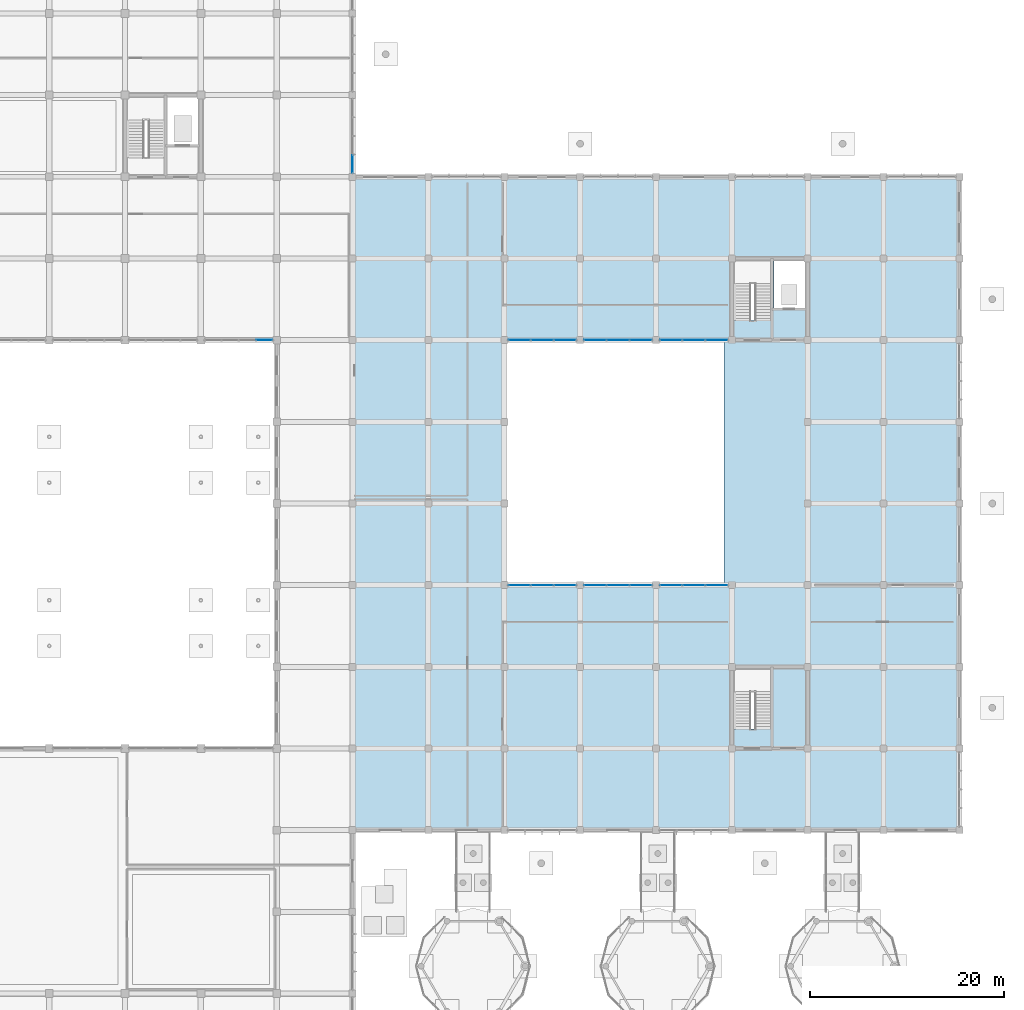
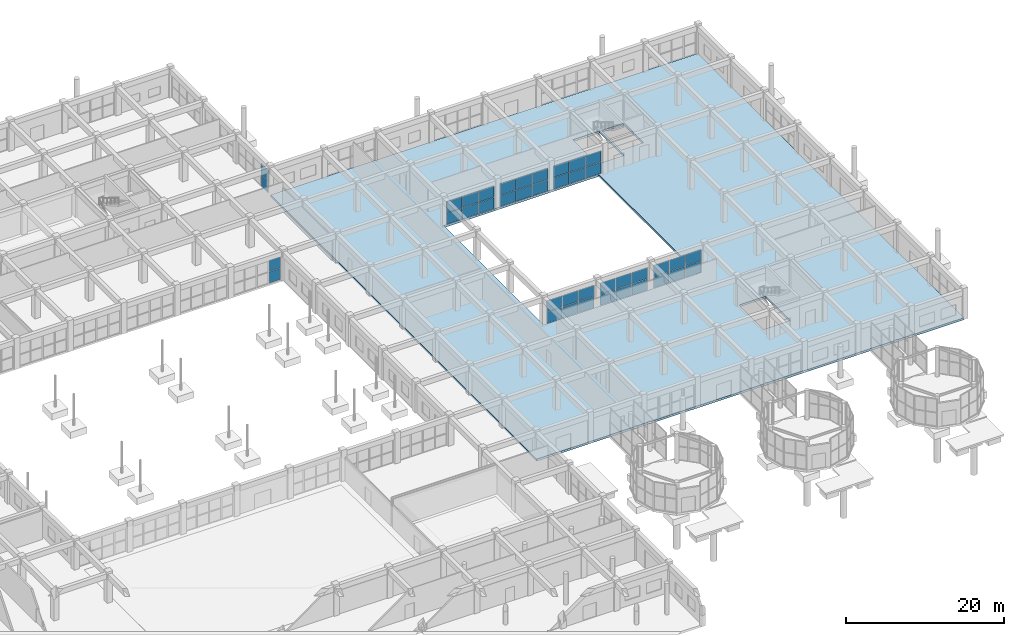
# One storey, part 115 of 139: 40 plates, 1 slab, 8 elements without a shape of their own.
"""IFC4 building model written with IfcOpenShell, lengths in metres."""

from ifc_helpers import new_model, si_unit, direction, frame, origin, origin_2d, place, context, subcontext, project, spatial, polyline, rectangle, outline, extrude, material, layer, layer_set, type_object, element, aggregate, save


model = new_model("IFC4")

# Units and contexts
model_context = context("Model", 3, precision=1e-05, world=origin(), true_north=direction((0.0, 1.0)))
body_context = subcontext(model_context, "Body", "Model", "MODEL_VIEW")
ifc_project = project(units=[si_unit("LENGTHUNIT", "METRE"), si_unit("AREAUNIT", "SQUARE_METRE"), si_unit("VOLUMEUNIT", "CUBIC_METRE"), si_unit("PLANEANGLEUNIT", "RADIAN"), si_unit("MASSUNIT", "GRAM", prefix="KILO")], contexts=[model_context])

# Site, building, storey
site_placement = place(None, origin())
site = spatial("IfcSite", under=ifc_project, at=site_placement, CompositionType="ELEMENT")
building_placement = place(site_placement, origin())
building = spatial("IfcBuilding", under=site, at=building_placement, Name="Zizhar Promenade General Hospital", CompositionType="ELEMENT")
storey_placement = place(building_placement, origin())
storey = spatial("IfcBuildingStorey", under=building, at=storey_placement, Name="L00", CompositionType="ELEMENT", Elevation=0.0)

# Curtain wall, plates
ifc_material_1 = material(Name="Anodised aluminium 6063-T6 and low-E glass", Category="aluminium")
ifc_layer_1 = layer(ifc_material_1, 0.159912109375)
ifc_layer_set_1 = layer_set([ifc_layer_1], Name="Anodised aluminium 6063-T6 and low-E glass")
curtain_wall_type_1 = type_object("IfcCurtainWallType", Name="CW-DT-MOD1", PredefinedType="NOTDEFINED", material=ifc_layer_set_1)
curtain_wall_1_placement = place(storey_placement, origin())
curtain_wall_1 = element("IfcCurtainWall", 1, at=curtain_wall_1_placement, inside=storey, type_object=curtain_wall_type_1, Name="Surgical East Glazed Curtain Wall L00-13", PredefinedType="NOTDEFINED")
ifc_material_2 = material(Name="Low-E solar-control glass", Category="glass")
ifc_layer_2 = layer(ifc_material_2, 0.031982421875)
ifc_layer_set_2 = layer_set([ifc_layer_2], Name="Low-E solar-control glass")
plate_type = type_object("IfcPlateType", Name="CWP-GLZ-32", PredefinedType="CURTAIN_PANEL", material=ifc_layer_set_2)
plate_1_placement = place(storey_placement, frame((132.60009765625, 110.5400390625, 0.06005859375), z_axis=(0.0, 0.0, 1.0), x_axis=(0.0, -1.0, 0.0)))
plate_1 = element("IfcPlate", 2, at=plate_1_placement, type_object=plate_type, Name="CW-07 panel 4.1", PredefinedType="CURTAIN_PANEL", context=body_context, shape_type="SweptSolid", body=[
    extrude(rectangle(XDim=1.800048828125, YDim=0.031982421875, at=origin_2d()), origin(), (0.0, 0.0, 1.0), 1.72509765625),
])
plate_2_placement = place(storey_placement, frame((132.60009765625, 110.5400390625, 1.844970703125), z_axis=(0.0, 0.0, 1.0), x_axis=(0.0, -1.0, 0.0)))
plate_2 = element("IfcPlate", 3, at=plate_2_placement, type_object=plate_type, Name="CW-07 panel 4.2", PredefinedType="CURTAIN_PANEL", context=body_context, shape_type="SweptSolid", body=[
    extrude(rectangle(XDim=1.800048828125, YDim=0.031982421875, at=origin_2d()), origin(), (0.0, 0.0, 1.0), 1.72509765625),
])
aggregate(curtain_wall_1, [plate_1, plate_2])

ifc_material_3 = material(Name="Anodised aluminium 6063-T6 and low-E glass", Category="aluminium")
ifc_layer_3 = layer(ifc_material_3, 0.159912109375)
ifc_layer_set_3 = layer_set([ifc_layer_3], Name="Anodised aluminium 6063-T6 and low-E glass")
curtain_wall_type_2 = type_object("IfcCurtainWallType", Name="CW-CLN-CRT", PredefinedType="NOTDEFINED", material=ifc_layer_set_3)
curtain_wall_2_placement = place(storey_placement, origin())
curtain_wall_2 = element("IfcCurtainWall", 4, at=curtain_wall_2_placement, inside=storey, type_object=curtain_wall_type_2, Name="East Light Court South Glazing L00-19", PredefinedType="NOTDEFINED")
plate_3_placement = place(storey_placement, frame((149.760009765625, 67.199951171875, 0.06005859375), z_axis=(0.0, 0.0, 1.0), x_axis=(1.0, 0.0, 0.0)))
plate_3 = element("IfcPlate", 5, at=plate_3_placement, type_object=plate_type, Name="CW-10 panel 1.1", PredefinedType="CURTAIN_PANEL", context=body_context, shape_type="SweptSolid", body=[
    extrude(rectangle(XDim=2.239990234375, YDim=0.031982421875, at=origin_2d()), origin(), (0.0, 0.0, 1.0), 1.72509765625),
])
plate_4_placement = place(storey_placement, frame((149.760009765625, 67.199951171875, 1.844970703125), z_axis=(0.0, 0.0, 1.0), x_axis=(1.0, 0.0, 0.0)))
plate_4 = element("IfcPlate", 6, at=plate_4_placement, type_object=plate_type, Name="CW-10 panel 1.2", PredefinedType="CURTAIN_PANEL", context=body_context, shape_type="SweptSolid", body=[
    extrude(rectangle(XDim=2.239990234375, YDim=0.031982421875, at=origin_2d()), origin(), (0.0, 0.0, 1.0), 1.72509765625),
])
plate_5_placement = place(storey_placement, frame((152.10009765625, 67.199951171875, 0.06005859375), z_axis=(0.0, 0.0, 1.0), x_axis=(1.0, 0.0, 0.0)))
plate_5 = element("IfcPlate", 7, at=plate_5_placement, type_object=plate_type, Name="CW-10 panel 2.1", PredefinedType="CURTAIN_PANEL", context=body_context, shape_type="SweptSolid", body=[
    extrude(rectangle(XDim=2.280029296875, YDim=0.031982421875, at=origin_2d()), origin(), (0.0, 0.0, 1.0), 1.72509765625),
])
plate_6_placement = place(storey_placement, frame((152.10009765625, 67.199951171875, 1.844970703125), z_axis=(0.0, 0.0, 1.0), x_axis=(1.0, 0.0, 0.0)))
plate_6 = element("IfcPlate", 8, at=plate_6_placement, type_object=plate_type, Name="CW-10 panel 2.2", PredefinedType="CURTAIN_PANEL", context=body_context, shape_type="SweptSolid", body=[
    extrude(rectangle(XDim=2.280029296875, YDim=0.031982421875, at=origin_2d()), origin(), (0.0, 0.0, 1.0), 1.72509765625),
])
plate_7_placement = place(storey_placement, frame((154.43994140625, 67.199951171875, 0.06005859375), z_axis=(0.0, 0.0, 1.0), x_axis=(1.0, 0.0, 0.0)))
plate_7 = element("IfcPlate", 9, at=plate_7_placement, type_object=plate_type, Name="CW-10 panel 3.1", PredefinedType="CURTAIN_PANEL", context=body_context, shape_type="SweptSolid", body=[
    extrude(rectangle(XDim=2.239990234375, YDim=0.031982421875, at=origin_2d()), origin(), (0.0, 0.0, 1.0), 1.72509765625),
])
plate_8_placement = place(storey_placement, frame((154.43994140625, 67.199951171875, 1.844970703125), z_axis=(0.0, 0.0, 1.0), x_axis=(1.0, 0.0, 0.0)))
plate_8 = element("IfcPlate", 10, at=plate_8_placement, type_object=plate_type, Name="CW-10 panel 3.2", PredefinedType="CURTAIN_PANEL", context=body_context, shape_type="SweptSolid", body=[
    extrude(rectangle(XDim=2.239990234375, YDim=0.031982421875, at=origin_2d()), origin(), (0.0, 0.0, 1.0), 1.72509765625),
])
aggregate(curtain_wall_2, [plate_3, plate_4, plate_5, plate_6, plate_7, plate_8])

curtain_wall_3_placement = place(storey_placement, origin())
curtain_wall_3 = element("IfcCurtainWall", 11, at=curtain_wall_3_placement, inside=storey, type_object=curtain_wall_type_2, Name="East Light Court North Glazing L00-19", PredefinedType="NOTDEFINED")
plate_9_placement = place(storey_placement, frame((154.43994140625, 92.39990234375, 0.06005859375), z_axis=(0.0, 0.0, 1.0), x_axis=(-1.0, 0.0, 0.0)))
plate_9 = element("IfcPlate", 12, at=plate_9_placement, type_object=plate_type, Name="CW-10 panel 1.1", PredefinedType="CURTAIN_PANEL", context=body_context, shape_type="SweptSolid", body=[
    extrude(rectangle(XDim=2.239990234375, YDim=0.031982421875, at=origin_2d()), origin(), (0.0, 0.0, 1.0), 1.72509765625),
])
plate_10_placement = place(storey_placement, frame((154.43994140625, 92.39990234375, 1.844970703125), z_axis=(0.0, 0.0, 1.0), x_axis=(-1.0, 0.0, 0.0)))
plate_10 = element("IfcPlate", 13, at=plate_10_placement, type_object=plate_type, Name="CW-10 panel 1.2", PredefinedType="CURTAIN_PANEL", context=body_context, shape_type="SweptSolid", body=[
    extrude(rectangle(XDim=2.239990234375, YDim=0.031982421875, at=origin_2d()), origin(), (0.0, 0.0, 1.0), 1.72509765625),
])
plate_11_placement = place(storey_placement, frame((152.10009765625, 92.39990234375, 0.06005859375), z_axis=(0.0, 0.0, 1.0), x_axis=(-1.0, 0.0, 0.0)))
plate_11 = element("IfcPlate", 14, at=plate_11_placement, type_object=plate_type, Name="CW-10 panel 2.1", PredefinedType="CURTAIN_PANEL", context=body_context, shape_type="SweptSolid", body=[
    extrude(rectangle(XDim=2.280029296875, YDim=0.031982421875, at=origin_2d()), origin(), (0.0, 0.0, 1.0), 1.72509765625),
])
plate_12_placement = place(storey_placement, frame((152.10009765625, 92.39990234375, 1.844970703125), z_axis=(0.0, 0.0, 1.0), x_axis=(-1.0, 0.0, 0.0)))
plate_12 = element("IfcPlate", 15, at=plate_12_placement, type_object=plate_type, Name="CW-10 panel 2.2", PredefinedType="CURTAIN_PANEL", context=body_context, shape_type="SweptSolid", body=[
    extrude(rectangle(XDim=2.280029296875, YDim=0.031982421875, at=origin_2d()), origin(), (0.0, 0.0, 1.0), 1.72509765625),
])
plate_13_placement = place(storey_placement, frame((149.760009765625, 92.39990234375, 0.06005859375), z_axis=(0.0, 0.0, 1.0), x_axis=(-1.0, 0.0, 0.0)))
plate_13 = element("IfcPlate", 16, at=plate_13_placement, type_object=plate_type, Name="CW-10 panel 3.1", PredefinedType="CURTAIN_PANEL", context=body_context, shape_type="SweptSolid", body=[
    extrude(rectangle(XDim=2.239990234375, YDim=0.031982421875, at=origin_2d()), origin(), (0.0, 0.0, 1.0), 1.72509765625),
])
plate_14_placement = place(storey_placement, frame((149.760009765625, 92.39990234375, 1.844970703125), z_axis=(0.0, 0.0, 1.0), x_axis=(-1.0, 0.0, 0.0)))
plate_14 = element("IfcPlate", 17, at=plate_14_placement, type_object=plate_type, Name="CW-10 panel 3.2", PredefinedType="CURTAIN_PANEL", context=body_context, shape_type="SweptSolid", body=[
    extrude(rectangle(XDim=2.239990234375, YDim=0.031982421875, at=origin_2d()), origin(), (0.0, 0.0, 1.0), 1.72509765625),
])
aggregate(curtain_wall_3, [plate_9, plate_10, plate_11, plate_12, plate_13, plate_14])

curtain_wall_4_placement = place(storey_placement, origin())
curtain_wall_4 = element("IfcCurtainWall", 18, at=curtain_wall_4_placement, inside=storey, type_object=curtain_wall_type_2, Name="East Light Court South Glazing L00-20", PredefinedType="NOTDEFINED")
plate_15_placement = place(storey_placement, frame((157.56005859375, 67.199951171875, 0.06005859375), z_axis=(0.0, 0.0, 1.0), x_axis=(1.0, 0.0, 0.0)))
plate_15 = element("IfcPlate", 19, at=plate_15_placement, type_object=plate_type, Name="CW-10 panel 1.1", PredefinedType="CURTAIN_PANEL", context=body_context, shape_type="SweptSolid", body=[
    extrude(rectangle(XDim=2.239990234375, YDim=0.031982421875, at=origin_2d()), origin(), (0.0, 0.0, 1.0), 1.72509765625),
])
plate_16_placement = place(storey_placement, frame((157.56005859375, 67.199951171875, 1.844970703125), z_axis=(0.0, 0.0, 1.0), x_axis=(1.0, 0.0, 0.0)))
plate_16 = element("IfcPlate", 20, at=plate_16_placement, type_object=plate_type, Name="CW-10 panel 1.2", PredefinedType="CURTAIN_PANEL", context=body_context, shape_type="SweptSolid", body=[
    extrude(rectangle(XDim=2.239990234375, YDim=0.031982421875, at=origin_2d()), origin(), (0.0, 0.0, 1.0), 1.72509765625),
])
plate_17_placement = place(storey_placement, frame((159.89990234375, 67.199951171875, 0.06005859375), z_axis=(0.0, 0.0, 1.0), x_axis=(1.0, 0.0, 0.0)))
plate_17 = element("IfcPlate", 21, at=plate_17_placement, type_object=plate_type, Name="CW-10 panel 2.1", PredefinedType="CURTAIN_PANEL", context=body_context, shape_type="SweptSolid", body=[
    extrude(rectangle(XDim=2.280029296875, YDim=0.031982421875, at=origin_2d()), origin(), (0.0, 0.0, 1.0), 1.72509765625),
])
plate_18_placement = place(storey_placement, frame((159.89990234375, 67.199951171875, 1.844970703125), z_axis=(0.0, 0.0, 1.0), x_axis=(1.0, 0.0, 0.0)))
plate_18 = element("IfcPlate", 22, at=plate_18_placement, type_object=plate_type, Name="CW-10 panel 2.2", PredefinedType="CURTAIN_PANEL", context=body_context, shape_type="SweptSolid", body=[
    extrude(rectangle(XDim=2.280029296875, YDim=0.031982421875, at=origin_2d()), origin(), (0.0, 0.0, 1.0), 1.72509765625),
])
plate_19_placement = place(storey_placement, frame((162.239990234375, 67.199951171875, 0.06005859375), z_axis=(0.0, 0.0, 1.0), x_axis=(1.0, 0.0, 0.0)))
plate_19 = element("IfcPlate", 23, at=plate_19_placement, type_object=plate_type, Name="CW-10 panel 3.1", PredefinedType="CURTAIN_PANEL", context=body_context, shape_type="SweptSolid", body=[
    extrude(rectangle(XDim=2.239990234375, YDim=0.031982421875, at=origin_2d()), origin(), (0.0, 0.0, 1.0), 1.72509765625),
])
plate_20_placement = place(storey_placement, frame((162.239990234375, 67.199951171875, 1.844970703125), z_axis=(0.0, 0.0, 1.0), x_axis=(1.0, 0.0, 0.0)))
plate_20 = element("IfcPlate", 24, at=plate_20_placement, type_object=plate_type, Name="CW-10 panel 3.2", PredefinedType="CURTAIN_PANEL", context=body_context, shape_type="SweptSolid", body=[
    extrude(rectangle(XDim=2.239990234375, YDim=0.031982421875, at=origin_2d()), origin(), (0.0, 0.0, 1.0), 1.72509765625),
])
aggregate(curtain_wall_4, [plate_15, plate_16, plate_17, plate_18, plate_19, plate_20])

curtain_wall_5_placement = place(storey_placement, origin())
curtain_wall_5 = element("IfcCurtainWall", 25, at=curtain_wall_5_placement, inside=storey, type_object=curtain_wall_type_2, Name="East Light Court North Glazing L00-20", PredefinedType="NOTDEFINED")
plate_21_placement = place(storey_placement, frame((162.239990234375, 92.39990234375, 0.06005859375), z_axis=(0.0, 0.0, 1.0), x_axis=(-1.0, 0.0, 0.0)))
plate_21 = element("IfcPlate", 26, at=plate_21_placement, type_object=plate_type, Name="CW-10 panel 1.1", PredefinedType="CURTAIN_PANEL", context=body_context, shape_type="SweptSolid", body=[
    extrude(rectangle(XDim=2.239990234375, YDim=0.031982421875, at=origin_2d()), origin(), (0.0, 0.0, 1.0), 1.72509765625),
])
plate_22_placement = place(storey_placement, frame((162.239990234375, 92.39990234375, 1.844970703125), z_axis=(0.0, 0.0, 1.0), x_axis=(-1.0, 0.0, 0.0)))
plate_22 = element("IfcPlate", 27, at=plate_22_placement, type_object=plate_type, Name="CW-10 panel 1.2", PredefinedType="CURTAIN_PANEL", context=body_context, shape_type="SweptSolid", body=[
    extrude(rectangle(XDim=2.239990234375, YDim=0.031982421875, at=origin_2d()), origin(), (0.0, 0.0, 1.0), 1.72509765625),
])
plate_23_placement = place(storey_placement, frame((159.89990234375, 92.39990234375, 0.06005859375), z_axis=(0.0, 0.0, 1.0), x_axis=(-1.0, 0.0, 0.0)))
plate_23 = element("IfcPlate", 28, at=plate_23_placement, type_object=plate_type, Name="CW-10 panel 2.1", PredefinedType="CURTAIN_PANEL", context=body_context, shape_type="SweptSolid", body=[
    extrude(rectangle(XDim=2.280029296875, YDim=0.031982421875, at=origin_2d()), origin(), (0.0, 0.0, 1.0), 1.72509765625),
])
plate_24_placement = place(storey_placement, frame((159.89990234375, 92.39990234375, 1.844970703125), z_axis=(0.0, 0.0, 1.0), x_axis=(-1.0, 0.0, 0.0)))
plate_24 = element("IfcPlate", 29, at=plate_24_placement, type_object=plate_type, Name="CW-10 panel 2.2", PredefinedType="CURTAIN_PANEL", context=body_context, shape_type="SweptSolid", body=[
    extrude(rectangle(XDim=2.280029296875, YDim=0.031982421875, at=origin_2d()), origin(), (0.0, 0.0, 1.0), 1.72509765625),
])
plate_25_placement = place(storey_placement, frame((157.56005859375, 92.39990234375, 0.06005859375), z_axis=(0.0, 0.0, 1.0), x_axis=(-1.0, 0.0, 0.0)))
plate_25 = element("IfcPlate", 30, at=plate_25_placement, type_object=plate_type, Name="CW-10 panel 3.1", PredefinedType="CURTAIN_PANEL", context=body_context, shape_type="SweptSolid", body=[
    extrude(rectangle(XDim=2.239990234375, YDim=0.031982421875, at=origin_2d()), origin(), (0.0, 0.0, 1.0), 1.72509765625),
])
plate_26_placement = place(storey_placement, frame((157.56005859375, 92.39990234375, 1.844970703125), z_axis=(0.0, 0.0, 1.0), x_axis=(-1.0, 0.0, 0.0)))
plate_26 = element("IfcPlate", 31, at=plate_26_placement, type_object=plate_type, Name="CW-10 panel 3.2", PredefinedType="CURTAIN_PANEL", context=body_context, shape_type="SweptSolid", body=[
    extrude(rectangle(XDim=2.239990234375, YDim=0.031982421875, at=origin_2d()), origin(), (0.0, 0.0, 1.0), 1.72509765625),
])
aggregate(curtain_wall_5, [plate_21, plate_22, plate_23, plate_24, plate_25, plate_26])

curtain_wall_6_placement = place(storey_placement, origin())
curtain_wall_6 = element("IfcCurtainWall", 32, at=curtain_wall_6_placement, inside=storey, type_object=curtain_wall_type_2, Name="East Light Court South Glazing L00-21", PredefinedType="NOTDEFINED")
plate_27_placement = place(storey_placement, frame((165.360107421875, 67.199951171875, 0.06005859375), z_axis=(0.0, 0.0, 1.0), x_axis=(1.0, 0.0, 0.0)))
plate_27 = element("IfcPlate", 33, at=plate_27_placement, type_object=plate_type, Name="CW-10 panel 1.1", PredefinedType="CURTAIN_PANEL", context=body_context, shape_type="SweptSolid", body=[
    extrude(rectangle(XDim=2.239990234375, YDim=0.031982421875, at=origin_2d()), origin(), (0.0, 0.0, 1.0), 1.72509765625),
])
plate_28_placement = place(storey_placement, frame((165.360107421875, 67.199951171875, 1.844970703125), z_axis=(0.0, 0.0, 1.0), x_axis=(1.0, 0.0, 0.0)))
plate_28 = element("IfcPlate", 34, at=plate_28_placement, type_object=plate_type, Name="CW-10 panel 1.2", PredefinedType="CURTAIN_PANEL", context=body_context, shape_type="SweptSolid", body=[
    extrude(rectangle(XDim=2.239990234375, YDim=0.031982421875, at=origin_2d()), origin(), (0.0, 0.0, 1.0), 1.72509765625),
])
plate_29_placement = place(storey_placement, frame((167.699951171875, 67.199951171875, 0.06005859375), z_axis=(0.0, 0.0, 1.0), x_axis=(1.0, 0.0, 0.0)))
plate_29 = element("IfcPlate", 35, at=plate_29_placement, type_object=plate_type, Name="CW-10 panel 2.1", PredefinedType="CURTAIN_PANEL", context=body_context, shape_type="SweptSolid", body=[
    extrude(rectangle(XDim=2.280029296875, YDim=0.031982421875, at=origin_2d()), origin(), (0.0, 0.0, 1.0), 1.72509765625),
])
plate_30_placement = place(storey_placement, frame((167.699951171875, 67.199951171875, 1.844970703125), z_axis=(0.0, 0.0, 1.0), x_axis=(1.0, 0.0, 0.0)))
plate_30 = element("IfcPlate", 36, at=plate_30_placement, type_object=plate_type, Name="CW-10 panel 2.2", PredefinedType="CURTAIN_PANEL", context=body_context, shape_type="SweptSolid", body=[
    extrude(rectangle(XDim=2.280029296875, YDim=0.031982421875, at=origin_2d()), origin(), (0.0, 0.0, 1.0), 1.72509765625),
])
plate_31_placement = place(storey_placement, frame((170.0400390625, 67.199951171875, 0.06005859375), z_axis=(0.0, 0.0, 1.0), x_axis=(1.0, 0.0, 0.0)))
plate_31 = element("IfcPlate", 37, at=plate_31_placement, type_object=plate_type, Name="CW-10 panel 3.1", PredefinedType="CURTAIN_PANEL", context=body_context, shape_type="SweptSolid", body=[
    extrude(rectangle(XDim=2.239990234375, YDim=0.031982421875, at=origin_2d()), origin(), (0.0, 0.0, 1.0), 1.72509765625),
])
plate_32_placement = place(storey_placement, frame((170.0400390625, 67.199951171875, 1.844970703125), z_axis=(0.0, 0.0, 1.0), x_axis=(1.0, 0.0, 0.0)))
plate_32 = element("IfcPlate", 38, at=plate_32_placement, type_object=plate_type, Name="CW-10 panel 3.2", PredefinedType="CURTAIN_PANEL", context=body_context, shape_type="SweptSolid", body=[
    extrude(rectangle(XDim=2.239990234375, YDim=0.031982421875, at=origin_2d()), origin(), (0.0, 0.0, 1.0), 1.72509765625),
])
aggregate(curtain_wall_6, [plate_27, plate_28, plate_29, plate_30, plate_31, plate_32])

curtain_wall_7_placement = place(storey_placement, origin())
curtain_wall_7 = element("IfcCurtainWall", 39, at=curtain_wall_7_placement, inside=storey, type_object=curtain_wall_type_2, Name="East Light Court North Glazing L00-21", PredefinedType="NOTDEFINED")
plate_33_placement = place(storey_placement, frame((170.0400390625, 92.39990234375, 0.06005859375), z_axis=(0.0, 0.0, 1.0), x_axis=(-1.0, 0.0, 0.0)))
plate_33 = element("IfcPlate", 40, at=plate_33_placement, type_object=plate_type, Name="CW-10 panel 1.1", PredefinedType="CURTAIN_PANEL", context=body_context, shape_type="SweptSolid", body=[
    extrude(rectangle(XDim=2.239990234375, YDim=0.031982421875, at=origin_2d()), origin(), (0.0, 0.0, 1.0), 1.72509765625),
])
plate_34_placement = place(storey_placement, frame((170.0400390625, 92.39990234375, 1.844970703125), z_axis=(0.0, 0.0, 1.0), x_axis=(-1.0, 0.0, 0.0)))
plate_34 = element("IfcPlate", 41, at=plate_34_placement, type_object=plate_type, Name="CW-10 panel 1.2", PredefinedType="CURTAIN_PANEL", context=body_context, shape_type="SweptSolid", body=[
    extrude(rectangle(XDim=2.239990234375, YDim=0.031982421875, at=origin_2d()), origin(), (0.0, 0.0, 1.0), 1.72509765625),
])
plate_35_placement = place(storey_placement, frame((167.699951171875, 92.39990234375, 0.06005859375), z_axis=(0.0, 0.0, 1.0), x_axis=(-1.0, 0.0, 0.0)))
plate_35 = element("IfcPlate", 42, at=plate_35_placement, type_object=plate_type, Name="CW-10 panel 2.1", PredefinedType="CURTAIN_PANEL", context=body_context, shape_type="SweptSolid", body=[
    extrude(rectangle(XDim=2.280029296875, YDim=0.031982421875, at=origin_2d()), origin(), (0.0, 0.0, 1.0), 1.72509765625),
])
plate_36_placement = place(storey_placement, frame((167.699951171875, 92.39990234375, 1.844970703125), z_axis=(0.0, 0.0, 1.0), x_axis=(-1.0, 0.0, 0.0)))
plate_36 = element("IfcPlate", 43, at=plate_36_placement, type_object=plate_type, Name="CW-10 panel 2.2", PredefinedType="CURTAIN_PANEL", context=body_context, shape_type="SweptSolid", body=[
    extrude(rectangle(XDim=2.280029296875, YDim=0.031982421875, at=origin_2d()), origin(), (0.0, 0.0, 1.0), 1.72509765625),
])
plate_37_placement = place(storey_placement, frame((165.360107421875, 92.39990234375, 0.06005859375), z_axis=(0.0, 0.0, 1.0), x_axis=(-1.0, 0.0, 0.0)))
plate_37 = element("IfcPlate", 44, at=plate_37_placement, type_object=plate_type, Name="CW-10 panel 3.1", PredefinedType="CURTAIN_PANEL", context=body_context, shape_type="SweptSolid", body=[
    extrude(rectangle(XDim=2.239990234375, YDim=0.031982421875, at=origin_2d()), origin(), (0.0, 0.0, 1.0), 1.72509765625),
])
plate_38_placement = place(storey_placement, frame((165.360107421875, 92.39990234375, 1.844970703125), z_axis=(0.0, 0.0, 1.0), x_axis=(-1.0, 0.0, 0.0)))
plate_38 = element("IfcPlate", 45, at=plate_38_placement, type_object=plate_type, Name="CW-10 panel 3.2", PredefinedType="CURTAIN_PANEL", context=body_context, shape_type="SweptSolid", body=[
    extrude(rectangle(XDim=2.239990234375, YDim=0.031982421875, at=origin_2d()), origin(), (0.0, 0.0, 1.0), 1.72509765625),
])
aggregate(curtain_wall_7, [plate_33, plate_34, plate_35, plate_36, plate_37, plate_38])

curtain_wall_8_placement = place(storey_placement, origin())
curtain_wall_8 = element("IfcCurtainWall", 46, at=curtain_wall_8_placement, inside=storey, type_object=curtain_wall_type_1, Name="Garden Court North Surgical Glazing L00-15", PredefinedType="NOTDEFINED")
plate_39_placement = place(storey_placement, frame((123.534912109375, 92.39990234375, 0.06005859375), z_axis=(0.0, 0.0, 1.0), x_axis=(-1.0, 0.0, 0.0)))
plate_39 = element("IfcPlate", 47, at=plate_39_placement, type_object=plate_type, Name="CW-07 panel 1.1", PredefinedType="CURTAIN_PANEL", context=body_context, shape_type="SweptSolid", body=[
    extrude(rectangle(XDim=1.64990234375, YDim=0.031982421875, at=origin_2d()), origin(), (0.0, 0.0, 1.0), 1.72509765625),
])
plate_40_placement = place(storey_placement, frame((123.534912109375, 92.39990234375, 1.844970703125), z_axis=(0.0, 0.0, 1.0), x_axis=(-1.0, 0.0, 0.0)))
plate_40 = element("IfcPlate", 48, at=plate_40_placement, type_object=plate_type, Name="CW-07 panel 1.2", PredefinedType="CURTAIN_PANEL", context=body_context, shape_type="SweptSolid", body=[
    extrude(rectangle(XDim=1.64990234375, YDim=0.031982421875, at=origin_2d()), origin(), (0.0, 0.0, 1.0), 1.72509765625),
])
aggregate(curtain_wall_8, [plate_39, plate_40])

# Slab
ifc_material_4 = material(Name="Concrete C35/45", Category="concrete")
ifc_layer_4 = layer(ifc_material_4, 0.320068359375)
ifc_layer_set_4 = layer_set([ifc_layer_4], Name="Concrete C35/45")
slab_type = type_object("IfcSlabType", Name="SLB-FLR-320", PredefinedType="FLOOR", material=ifc_layer_set_4)
slab_placement = place(storey_placement, frame((0.0, 0.0, -0.320068359375)))
element("IfcSlab", 49, at=slab_placement, inside=storey, type_object=slab_type, Name="Level L00 Outpatient Wing Ground Slab", PredefinedType="FLOOR", context=body_context, shape_type="SweptSolid", body=[
    extrude(outline(polyline([(132.64990234375, 42.0), (195.0, 42.0), (195.0, 109.199951171875), (132.64990234375, 109.199951171875), (132.64990234375, 42.0)]), holes=[polyline([(148.199951171875, 67.199951171875), (148.199951171875, 92.39990234375), (170.800048828125, 92.39990234375), (170.800048828125, 67.199951171875), (148.199951171875, 67.199951171875)]), polyline([(171.780029296875, 94.429931640625), (171.780029296875, 100.6201171875), (175.679931640625, 100.6201171875), (175.679931640625, 94.429931640625), (171.780029296875, 94.429931640625)]), polyline([(175.949951171875, 95.6201171875), (175.949951171875, 100.580078125), (179.179931640625, 100.580078125), (179.179931640625, 95.6201171875), (175.949951171875, 95.6201171875)]), polyline([(171.780029296875, 52.429931640625), (171.780029296875, 58.6201171875), (175.679931640625, 58.6201171875), (175.679931640625, 52.429931640625), (171.780029296875, 52.429931640625)])]), origin(), (0.0, 0.0, 1.0), 0.320068359375),
])

save(model, "model.ifc")
